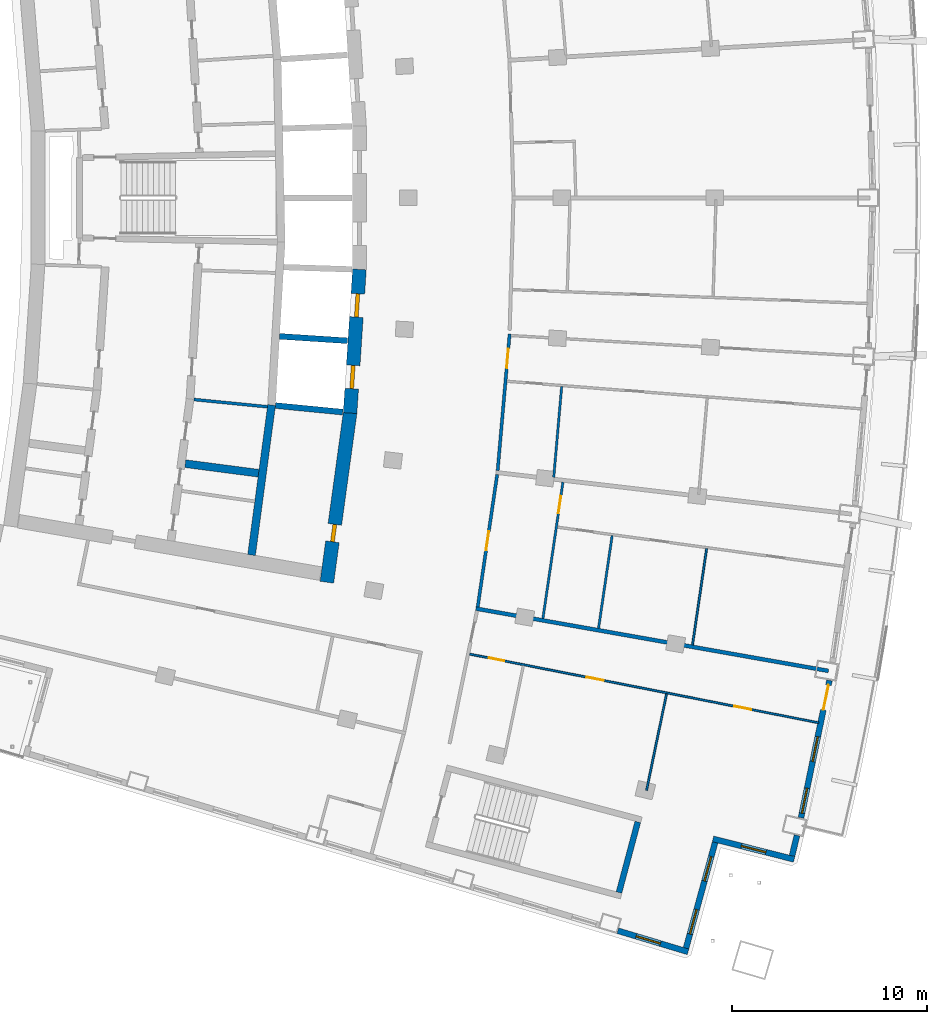
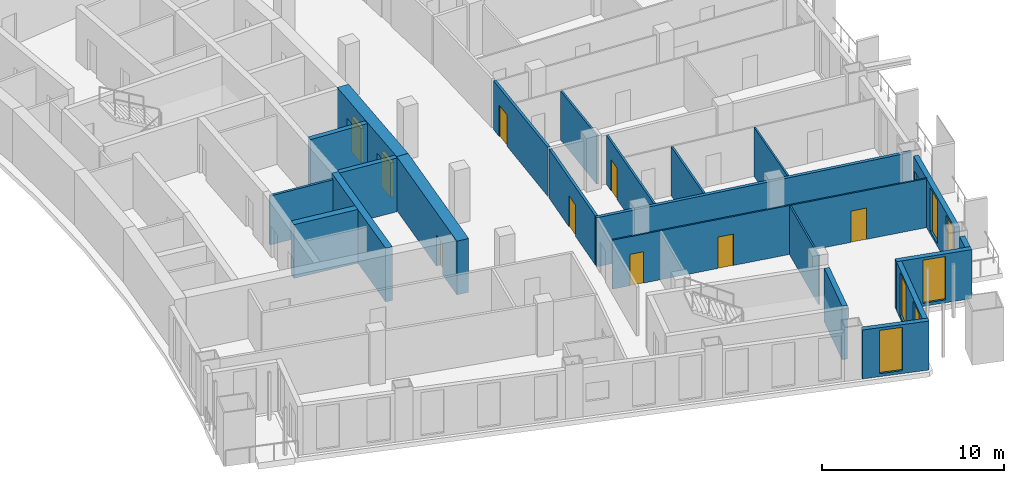
# One storey, part 11 of 20: 22 walls, 10 doors, 6 windows, 16 openings.
"""IFC4 building model written with IfcOpenShell, lengths in metres."""

from ifc_helpers import new_model, si_unit, direction, frame, frame_2d, origin, place, context, subcontext, project, spatial, rectangle, extrude, material, layer, layer_set, type_object, element, fill, save


model = new_model("IFC4")

# Units and contexts
model_context = context("Model", 3, precision=1e-05, world=origin(), true_north=direction((0.0, 1.0)))
body_context = subcontext(model_context, "Body", "Model", "MODEL_VIEW")
ifc_project = project(units=[si_unit("LENGTHUNIT", "METRE"), si_unit("AREAUNIT", "SQUARE_METRE"), si_unit("VOLUMEUNIT", "CUBIC_METRE"), si_unit("PLANEANGLEUNIT", "RADIAN"), si_unit("MASSUNIT", "GRAM", prefix="KILO")], contexts=[model_context])

# Site, building, storey
site_placement = place(None, origin())
site = spatial("IfcSite", under=ifc_project, at=site_placement, CompositionType="ELEMENT")
building_placement = place(site_placement, origin())
building = spatial("IfcBuilding", under=site, at=building_placement, Name="Alderwake Tower", CompositionType="ELEMENT")
storey_placement = place(building_placement, frame((0.0, 0.0, 164.0)))
storey = spatial("IfcBuildingStorey", under=building, at=storey_placement, Name="L40", CompositionType="ELEMENT", Elevation=164.0)

# Wall
ifc_material_1 = material(Name="Gypsum shaft wall system, rated")
ifc_layer_1 = layer(ifc_material_1, 0.14990234375)
ifc_layer_set_1 = layer_set([ifc_layer_1], Name="Core room partition 150")
wall_type_1 = type_object("IfcWallType", Name="Core room partition 150", PredefinedType="PARTITIONING", material=ifc_layer_set_1)
wall_1_placement = place(storey_placement, frame((24.789794921875, 50.64501953125, 0.0), z_axis=(0.0, 0.0, 1.0), x_axis=(0.995153039802, -0.098338331148, 0.0)))
element("IfcWall", 1, at=wall_1_placement, inside=storey, type_object=wall_type_1, Name="CW/L40/PR-103_+86", PredefinedType="PARTITIONING", context=body_context, shape_type="SweptSolid", body=[
    extrude(rectangle(XDim=3.7958984375, YDim=0.14990234375, at=frame_2d((1.89794921875, 0.0))), origin(), (0.0, 0.0, 1.0), 3.280029296875),
])

# Wall, opening, door
ifc_material_2 = material(Name="Concrete C70/85", Category="concrete")
ifc_layer_2 = layer(ifc_material_2, 0.699951171875)
ifc_layer_set_2 = layer_set([ifc_layer_2], Name="Core wall outer 700 C70-85")
wall_type_2 = type_object("IfcWallType", Name="Core wall outer 700 C70-85", PredefinedType="SHEAR", material=ifc_layer_set_2)
wall_2_placement = place(storey_placement, frame((32.81298828125, 49.97412109375, 0.0), z_axis=(0.0, 0.0, 1.0), x_axis=(-0.135835706655, -0.99073137671, 0.0)))
wall_2 = element("IfcWall", 2, at=wall_2_placement, inside=storey, type_object=wall_type_2, Name="Core wall CW.012", PredefinedType="SHEAR", context=body_context, shape_type="SweptSolid", body=[
    extrude(rectangle(XDim=8.790771484375, YDim=0.699951171875, at=frame_2d((4.3955078125, 0.0))), origin(), (0.0, 0.0, 1.0), 3.60009765625),
])
opening_1_placement = place(wall_2_placement, frame((5.79443359375, 0.0, 0.0)))
opening_1 = element("IfcOpeningElement", 3, at=opening_1_placement, cuts=wall_2, Name="Opening C060", PredefinedType="OPENING", context=body_context, shape_type="SweptSolid", body=[
    extrude(rectangle(XDim=0.89990234375, YDim=2.10009765625, at=frame_2d((0.449951171875, 1.050048828125))), frame((0.0, 0.35986328125, 0.0), z_axis=(0.0, -1.0, 0.0), x_axis=(1.0, 0.0, 0.0)), (0.0, 0.0, 1.0), 0.719970703125),
])
ifc_material_3 = material(Name="Painted steel leaf", Category="steel")
door_type_1 = type_object("IfcDoorType", Name="Core room door 900", OperationType="SINGLE_SWING_LEFT", PredefinedType="DOOR", material=ifc_material_3)
door_1_placement = place(opening_1_placement, origin())
door_1 = element("IfcDoor", 4, at=door_1_placement, inside=storey, type_object=door_type_1, Name="Room door", OperationType="SINGLE_SWING_RIGHT", OverallHeight=2.10009765625, OverallWidth=0.89990234375, PredefinedType="DOOR", context=body_context, shape_type="SweptSolid", body=[
    extrude(rectangle(XDim=0.89990234375, YDim=2.10009765625, at=frame_2d((0.449951171875, 1.050048828125))), frame((0.0, 0.10009765625, 0.0), z_axis=(0.0, -1.0, 0.0), x_axis=(1.0, 0.0, 0.0)), (0.0, 0.0, 1.0), 0.199951171875),
])
fill(opening_1, door_1)

# Wall, openings, doors
wall_3_placement = place(storey_placement, frame((32.810302734375, 49.9482421875, 0.0), z_axis=(0.0, 0.0, 1.0), x_axis=(0.065009096017, 0.99788467141, 0.0)))
wall_3 = element("IfcWall", 5, at=wall_3_placement, inside=storey, type_object=wall_type_2, Name="Core wall CW.011", PredefinedType="SHEAR", context=body_context, shape_type="SweptSolid", body=[
    extrude(rectangle(XDim=7.39453125, YDim=0.699951171875, at=frame_2d((3.697265625, 0.0))), origin(), (0.0, 0.0, 1.0), 3.60009765625),
])
opening_2_placement = place(wall_3_placement, frame((1.255126953125, 0.0, 0.0)))
opening_2 = element("IfcOpeningElement", 6, at=opening_2_placement, cuts=wall_3, Name="Opening LD-HP1", PredefinedType="OPENING", context=body_context, shape_type="SweptSolid", body=[
    extrude(rectangle(XDim=1.199951171875, YDim=2.300048828125, at=frame_2d((0.60009765625, 1.14990234375))), frame((0.0, 0.35986328125, 0.0), z_axis=(0.0, -1.0, 0.0), x_axis=(1.0, 0.0, 0.0)), (0.0, 0.0, 1.0), 0.719970703125),
])
opening_3_placement = place(wall_3_placement, frame((4.9404296875, 0.0, 0.0)))
opening_3 = element("IfcOpeningElement", 7, at=opening_3_placement, cuts=wall_3, Name="Opening LD-HP2", PredefinedType="OPENING", context=body_context, shape_type="SweptSolid", body=[
    extrude(rectangle(XDim=1.199951171875, YDim=2.300048828125, at=frame_2d((0.60009765625, 1.14990234375))), frame((0.0, 0.35986328125, 0.0), z_axis=(0.0, -1.0, 0.0), x_axis=(1.0, 0.0, 0.0)), (0.0, 0.0, 1.0), 0.719970703125),
])
ifc_material_4 = material(Name="Stainless steel sliding leaf", Category="steel")
door_type_2 = type_object("IfcDoorType", Name="Lift landing door 1200", OperationType="SLIDING_TO_LEFT", PredefinedType="DOOR", material=ifc_material_4)
door_2_placement = place(opening_2_placement, origin())
door_2 = element("IfcDoor", 8, at=door_2_placement, inside=storey, type_object=door_type_2, Name="Lift landing door HP1", OperationType="SLIDING_TO_LEFT", OverallHeight=2.300048828125, OverallWidth=1.199951171875, PredefinedType="DOOR", context=body_context, shape_type="SweptSolid", body=[
    extrude(rectangle(XDim=1.199951171875, YDim=2.300048828125, at=frame_2d((0.60009765625, 1.14990234375))), frame((0.0, 0.10009765625, 0.0), z_axis=(0.0, -1.0, 0.0), x_axis=(1.0, 0.0, 0.0)), (0.0, 0.0, 1.0), 0.199951171875),
])
fill(opening_2, door_2)
door_3_placement = place(opening_3_placement, origin())
door_3 = element("IfcDoor", 9, at=door_3_placement, inside=storey, type_object=door_type_2, Name="Lift landing door HP2", OperationType="SLIDING_TO_LEFT", OverallHeight=2.300048828125, OverallWidth=1.199951171875, PredefinedType="DOOR", context=body_context, shape_type="SweptSolid", body=[
    extrude(rectangle(XDim=1.199951171875, YDim=2.300048828125, at=frame_2d((0.60009765625, 1.14990234375))), frame((0.0, 0.10009765625, 0.0), z_axis=(0.0, -1.0, 0.0), x_axis=(1.0, 0.0, 0.0)), (0.0, 0.0, 1.0), 0.199951171875),
])
fill(opening_3, door_3)

# Walls
ifc_material_5 = material(Name="Concrete C70/85", Category="concrete")
ifc_layer_3 = layer(ifc_material_5, 0.300048828125)
ifc_layer_set_3 = layer_set([ifc_layer_3], Name="Core wall shaft 300 C70-85")
wall_type_3 = type_object("IfcWallType", Name="Core wall shaft 300 C70-85", PredefinedType="SHEAR", material=ifc_layer_set_3)
wall_4_placement = place(storey_placement, frame((28.9794921875, 50.336181640625, 0.0), z_axis=(0.0, 0.0, 1.0), x_axis=(0.995247396058, -0.097378748402, 0.0)))
element("IfcWall", 10, at=wall_4_placement, inside=storey, type_object=wall_type_3, Name="Core wall CW.064", PredefinedType="SHEAR", context=body_context, shape_type="SweptSolid", body=[
    extrude(rectangle(XDim=3.469970703125, YDim=0.300048828125, at=frame_2d((1.73486328125, 0.0))), origin(), (0.0, 0.0, 1.0), 3.60009765625),
])
wall_5_placement = place(storey_placement, frame((29.190185546875, 53.8896484375, 0.0), z_axis=(0.0, 0.0, 1.0), x_axis=(0.997884352206, -0.065013995596, 0.0)))
element("IfcWall", 11, at=wall_5_placement, inside=storey, type_object=wall_type_3, Name="Core wall CW.078", PredefinedType="SHEAR", context=body_context, shape_type="SweptSolid", body=[
    extrude(rectangle(XDim=3.488525390625, YDim=0.300048828125, at=frame_2d((1.744140625, 0.0))), origin(), (0.0, 0.0, 1.0), 3.60009765625),
])
ifc_material_6 = material(Name="Concrete C70/85", Category="concrete")
ifc_layer_4 = layer(ifc_material_6, 0.39990234375)
ifc_layer_set_4 = layer_set([ifc_layer_4], Name="Core wall spine 400 C70-85")
wall_type_4 = type_object("IfcWallType", Name="Core wall spine 400 C70-85", PredefinedType="SHEAR", material=ifc_layer_set_4)
wall_6_placement = place(storey_placement, frame((27.750244140625, 42.65966796875, 0.0), z_axis=(0.0, 0.0, 1.0), x_axis=(0.132678066825, 0.991159185289, 0.0)))
element("IfcWall", 12, at=wall_6_placement, inside=storey, type_object=wall_type_4, Name="Core wall CW.006", PredefinedType="SHEAR", context=body_context, shape_type="SweptSolid", body=[
    extrude(rectangle(XDim=7.7724609375, YDim=0.39990234375, at=frame_2d((3.88623046875, 0.0))), origin(), (0.0, 0.0, 1.0), 3.60009765625),
])
wall_7_placement = place(storey_placement, frame((24.347900390625, 47.35205078125, 0.0), z_axis=(0.0, 0.0, 1.0), x_axis=(0.991552989286, -0.12970223374, 0.0)))
element("IfcWall", 13, at=wall_7_placement, inside=storey, type_object=wall_type_4, Name="Core wall CW.069", PredefinedType="SHEAR", context=body_context, shape_type="SweptSolid", body=[
    extrude(rectangle(XDim=3.794677734375, YDim=0.39990234375, at=frame_2d((1.8974609375, 0.0))), origin(), (0.0, 0.0, 1.0), 3.60009765625),
])
ifc_material_7 = material(Name="Concrete C70/85", Category="concrete")
ifc_layer_5 = layer(ifc_material_7, 0.300048828125)
ifc_layer_set_5 = layer_set([ifc_layer_5], Name="Core wall stair enclosure 300 C70-85")
wall_type_5 = type_object("IfcWallType", Name="Core wall stair enclosure 300 C70-85", PredefinedType="SHEAR", material=ifc_layer_set_5)
wall_8_placement = place(storey_placement, frame((46.6162109375, 25.334716796875, 0.0), z_axis=(0.0, 0.0, 1.0), x_axis=(0.257366821694, 0.966313778796, 0.0)))
element("IfcWall", 14, at=wall_8_placement, inside=storey, type_object=wall_type_5, Name="Core wall CW.085", PredefinedType="SHEAR", context=body_context, shape_type="SweptSolid", body=[
    extrude(rectangle(XDim=3.749755859375, YDim=0.300048828125, at=frame_2d((1.875, 0.0))), origin(), (0.0, 0.0, 1.0), 3.60009765625),
])

# Wall, opening, door
ifc_material_8 = material(Name="Gypsum board on metal studs, rated")
ifc_layer_6 = layer(ifc_material_8, 0.159912109375)
ifc_layer_set_6 = layer_set([ifc_layer_6], Name="Corridor wall 160")
wall_type_6 = type_object("IfcWallType", Name="Corridor wall 160", PredefinedType="PARTITIONING", material=ifc_layer_set_6)
wall_9_placement = place(storey_placement, frame((40.3623046875, 46.7939453125, 0.0), z_axis=(0.0, 0.0, 1.0), x_axis=(-0.1455042199, -0.989357630987, 0.0)))
wall_9 = element("IfcWall", 15, at=wall_9_placement, inside=storey, type_object=wall_type_6, Name="WL/L40/W21", PredefinedType="PARTITIONING", context=body_context, shape_type="SweptSolid", body=[
    extrude(rectangle(XDim=6.87109375, YDim=0.159912109375, at=frame_2d((3.435546875, 0.0))), origin(), (0.0, 0.0, 1.0), 3.280029296875),
])
opening_4_placement = place(wall_9_placement, frame((2.935546875, 0.0, 0.0)))
opening_4 = element("IfcOpeningElement", 16, at=opening_4_placement, cuts=wall_9, Name="Opening R11-U04.2", PredefinedType="OPENING", context=body_context, shape_type="SweptSolid", body=[
    extrude(rectangle(XDim=1.0, YDim=2.10009765625, at=frame_2d((0.5, 1.050048828125))), frame((0.0, 0.08984375, 0.0), z_axis=(0.0, -1.0, 0.0), x_axis=(1.0, 0.0, 0.0)), (0.0, 0.0, 1.0), 0.179931640625),
])
ifc_material_9 = material(Name="Solid timber leaf in steel frame", Category="steel")
door_type_3 = type_object("IfcDoorType", Name="Flat entrance door 1000 fire-rated", OperationType="SINGLE_SWING_LEFT", PredefinedType="DOOR", material=ifc_material_9)
door_4_placement = place(opening_4_placement, origin())
door_4 = element("IfcDoor", 17, at=door_4_placement, inside=storey, type_object=door_type_3, Name="DR/L40/U04.2", OperationType="SINGLE_SWING_LEFT", OverallHeight=2.10009765625, OverallWidth=1.0, PredefinedType="DOOR", context=body_context, shape_type="SweptSolid", body=[
    extrude(rectangle(XDim=1.0, YDim=2.10009765625, at=frame_2d((0.5, 1.050048828125))), frame((0.0, 0.02490234375, 0.0), z_axis=(0.0, -1.0, 0.0), x_axis=(1.0, 0.0, 0.0)), (0.0, 0.0, 1.0), 0.050048828125),
])
fill(opening_4, door_4)

wall_10_placement = place(storey_placement, frame((41.001953125, 54.013671875, 0.0), z_axis=(0.0, 0.0, 1.0), x_axis=(-0.087430787456, -0.996170596537, 0.0)))
wall_10 = element("IfcWall", 18, at=wall_10_placement, inside=storey, type_object=wall_type_6, Name="WL/L40/W23", PredefinedType="PARTITIONING", context=body_context, shape_type="SweptSolid", body=[
    extrude(rectangle(XDim=7.048095703125, YDim=0.159912109375, at=frame_2d((3.52392578125, 0.0))), origin(), (0.0, 0.0, 1.0), 3.280029296875),
])
opening_5_placement = place(wall_10_placement, frame((0.75830078125, 0.0, 0.0)))
opening_5 = element("IfcOpeningElement", 19, at=opening_5_placement, cuts=wall_10, Name="Opening R11-U05.2", PredefinedType="OPENING", context=body_context, shape_type="SweptSolid", body=[
    extrude(rectangle(XDim=1.0, YDim=2.10009765625, at=frame_2d((0.5, 1.050048828125))), frame((0.0, 0.08984375, 0.0), z_axis=(0.0, -1.0, 0.0), x_axis=(1.0, 0.0, 0.0)), (0.0, 0.0, 1.0), 0.179931640625),
])
door_5_placement = place(opening_5_placement, origin())
door_5 = element("IfcDoor", 20, at=door_5_placement, inside=storey, type_object=door_type_3, Name="DR/L40/U05.2", OperationType="SINGLE_SWING_LEFT", OverallHeight=2.10009765625, OverallWidth=1.0, PredefinedType="DOOR", context=body_context, shape_type="SweptSolid", body=[
    extrude(rectangle(XDim=1.0, YDim=2.10009765625, at=frame_2d((0.5, 1.050048828125))), frame((0.0, 0.02490234375, 0.0), z_axis=(0.0, -1.0, 0.0), x_axis=(1.0, 0.0, 0.0)), (0.0, 0.0, 1.0), 0.050048828125),
])
fill(opening_5, door_5)

# Wall
ifc_material_10 = material(Name="Precast concrete C50/60 spandrel panel", Category="concrete")
ifc_layer_7 = layer(ifc_material_10, 0.300048828125)
ifc_layer_set_7 = layer_set([ifc_layer_7], Name="External wall EW1 Precast concrete C50/60 spandrel")
wall_type_7 = type_object("IfcWallType", Name="External wall EW1 Precast concrete C50/60 spandrel", PredefinedType="SOLIDWALL", material=ifc_layer_set_7)
wall_11_placement = place(storey_placement, frame((55.49951171875, 27.217529296875, 0.0), z_axis=(0.0, 0.0, 1.0), x_axis=(0.238334101451, 0.971183224776, 0.0)))
element("IfcWall", 21, at=wall_11_placement, inside=storey, type_object=wall_type_7, Name="External wall 11", PredefinedType="SOLIDWALL", context=body_context, shape_type="SweptSolid", body=[
    extrude(rectangle(XDim=1.080810546875, YDim=0.300048828125, at=frame_2d((0.54052734375, 0.0))), origin(), (0.0, 0.0, 1.0), 3.280029296875),
])

# Wall, openings, door, windows
wall_12_placement = place(storey_placement, frame((55.961669921875, 29.173095703125, 0.0), z_axis=(0.0, 0.0, 1.0), x_axis=(0.202737932552, 0.97923303187, 0.0)))
wall_12 = element("IfcWall", 22, at=wall_12_placement, inside=storey, type_object=wall_type_7, Name="External wall 12", PredefinedType="SOLIDWALL", context=body_context, shape_type="SweptSolid", body=[
    extrude(rectangle(XDim=7.19873046875, YDim=0.300048828125, at=frame_2d((3.599365234375, 0.0))), origin(), (0.0, 0.0, 1.0), 3.280029296875),
])
opening_6_placement = place(wall_12_placement, frame((0.2392578125, 0.0, 0.199951171875)))
opening_6 = element("IfcOpeningElement", 23, at=opening_6_placement, cuts=wall_12, Name="Opening W1", PredefinedType="OPENING", context=body_context, shape_type="SweptSolid", body=[
    extrude(rectangle(XDim=1.300048828125, YDim=2.89990234375, at=frame_2d((0.64990234375, 1.449951171875))), frame((0.0, 0.159912109375, 0.0), z_axis=(0.0, -1.0, 0.0), x_axis=(1.0, 0.0, 0.0)), (0.0, 0.0, 1.0), 0.320068359375),
])
opening_7_placement = place(wall_12_placement, frame((2.949462890625, 0.0, 0.199951171875)))
opening_7 = element("IfcOpeningElement", 24, at=opening_7_placement, cuts=wall_12, Name="Opening W1", PredefinedType="OPENING", context=body_context, shape_type="SweptSolid", body=[
    extrude(rectangle(XDim=1.300048828125, YDim=2.89990234375, at=frame_2d((0.64990234375, 1.449951171875))), frame((0.0, 0.159912109375, 0.0), z_axis=(0.0, -1.0, 0.0), x_axis=(1.0, 0.0, 0.0)), (0.0, 0.0, 1.0), 0.320068359375),
])
opening_8_placement = place(wall_12_placement, frame((5.659423828125, 0.0, 0.0)))
opening_8 = element("IfcOpeningElement", 25, at=opening_8_placement, cuts=wall_12, Name="Opening D02", PredefinedType="OPENING", context=body_context, shape_type="SweptSolid", body=[
    extrude(rectangle(XDim=1.300048828125, YDim=2.39990234375, at=frame_2d((0.64990234375, 1.199951171875))), frame((0.0, 0.159912109375, 0.0), z_axis=(0.0, -1.0, 0.0), x_axis=(1.0, 0.0, 0.0)), (0.0, 0.0, 1.0), 0.320068359375),
])
ifc_material_11 = material(Name="Bronze tinted glass in aluminium frame", Category="aluminium")
door_type_4 = type_object("IfcDoorType", Name="Balcony door BD sliding", OperationType="SLIDING_TO_LEFT", PredefinedType="DOOR", material=ifc_material_11)
door_6_placement = place(opening_8_placement, origin())
door_6 = element("IfcDoor", 26, at=door_6_placement, inside=storey, type_object=door_type_4, Name="Door D02", OperationType="SLIDING_TO_LEFT", OverallHeight=2.39990234375, OverallWidth=1.300048828125, PredefinedType="DOOR", context=body_context, shape_type="SweptSolid", body=[
    extrude(rectangle(XDim=1.300048828125, YDim=2.39990234375, at=frame_2d((0.64990234375, 1.199951171875))), frame((0.0, 0.02490234375, 0.0), z_axis=(0.0, -1.0, 0.0), x_axis=(1.0, 0.0, 0.0)), (0.0, 0.0, 1.0), 0.050048828125),
])
fill(opening_8, door_6)
ifc_material_12 = material(Name="Bronze tinted glass in aluminium frame", Category="aluminium")
window_type = type_object("IfcWindowType", Name="Window W1 tall fixed and vent", PartitioningType="DOUBLE_PANEL_VERTICAL", PredefinedType="WINDOW", material=ifc_material_12)
window_1_placement = place(opening_6_placement, origin())
window_1 = element("IfcWindow", 27, at=window_1_placement, inside=storey, type_object=window_type, Name="Window W1 tall fixed and vent", OverallHeight=2.89990234375, OverallWidth=1.300048828125, PartitioningType="DOUBLE_PANEL_VERTICAL", PredefinedType="WINDOW", context=body_context, shape_type="SweptSolid", body=[
    extrude(rectangle(XDim=1.300048828125, YDim=2.89990234375, at=frame_2d((0.64990234375, 1.449951171875))), frame((0.0, 0.030029296875, 0.0), z_axis=(0.0, -1.0, 0.0), x_axis=(1.0, 0.0, 0.0)), (0.0, 0.0, 1.0), 0.06005859375),
])
fill(opening_6, window_1)
window_2_placement = place(opening_7_placement, origin())
window_2 = element("IfcWindow", 28, at=window_2_placement, inside=storey, type_object=window_type, Name="Window W1 tall fixed and vent", OverallHeight=2.89990234375, OverallWidth=1.300048828125, PartitioningType="DOUBLE_PANEL_VERTICAL", PredefinedType="WINDOW", context=body_context, shape_type="SweptSolid", body=[
    extrude(rectangle(XDim=1.300048828125, YDim=2.89990234375, at=frame_2d((0.64990234375, 1.449951171875))), frame((0.0, 0.030029296875, 0.0), z_axis=(0.0, -1.0, 0.0), x_axis=(1.0, 0.0, 0.0)), (0.0, 0.0, 1.0), 0.06005859375),
])
fill(opening_7, window_2)

# Wall, opening, window
ifc_material_13 = material(Name="Bronze metal cladding on lightweight framing")
ifc_layer_8 = layer(ifc_material_13, 0.300048828125)
ifc_layer_set_8 = layer_set([ifc_layer_8], Name="External wall EW2 bronze metal cladding")
wall_type_8 = type_object("IfcWallType", Name="External wall EW2 bronze metal cladding", PredefinedType="SOLIDWALL", material=ifc_layer_set_8)
wall_13_placement = place(storey_placement, frame((46.55810546875, 23.369140625, 0.0), z_axis=(0.0, 0.0, 1.0), x_axis=(0.957765550003, -0.287550258611, 0.0)))
wall_13 = element("IfcWall", 29, at=wall_13_placement, inside=storey, type_object=wall_type_8, Name="External wall 8", PredefinedType="SOLIDWALL", context=body_context, shape_type="SweptSolid", body=[
    extrude(rectangle(XDim=3.762939453125, YDim=0.300048828125, at=frame_2d((1.88134765625, 0.0))), origin(), (0.0, 0.0, 1.0), 3.280029296875),
])
opening_9_placement = place(wall_13_placement, frame((0.98046875, 0.0, 0.199951171875)))
opening_9 = element("IfcOpeningElement", 30, at=opening_9_placement, cuts=wall_13, Name="Opening W1", PredefinedType="OPENING", context=body_context, shape_type="SweptSolid", body=[
    extrude(rectangle(XDim=1.300048828125, YDim=2.89990234375, at=frame_2d((0.64990234375, 1.449951171875))), frame((0.0, 0.159912109375, 0.0), z_axis=(0.0, -1.0, 0.0), x_axis=(1.0, 0.0, 0.0)), (0.0, 0.0, 1.0), 0.320068359375),
])
window_3_placement = place(opening_9_placement, origin())
window_3 = element("IfcWindow", 31, at=window_3_placement, inside=storey, type_object=window_type, Name="Window W1 tall fixed and vent", OverallHeight=2.89990234375, OverallWidth=1.300048828125, PartitioningType="DOUBLE_PANEL_VERTICAL", PredefinedType="WINDOW", context=body_context, shape_type="SweptSolid", body=[
    extrude(rectangle(XDim=1.300048828125, YDim=2.89990234375, at=frame_2d((0.64990234375, 1.449951171875))), frame((0.0, 0.030029296875, 0.0), z_axis=(0.0, -1.0, 0.0), x_axis=(1.0, 0.0, 0.0)), (0.0, 0.0, 1.0), 0.06005859375),
])
fill(opening_9, window_3)

# Wall, openings, windows
wall_14_placement = place(storey_placement, frame((50.05810546875, 22.474853515625, 0.0), z_axis=(0.0, 0.0, 1.0), x_axis=(0.2651041118, 0.96421979336, 0.0)))
wall_14 = element("IfcWall", 32, at=wall_14_placement, inside=storey, type_object=wall_type_8, Name="External wall 9", PredefinedType="SOLIDWALL", context=body_context, shape_type="SweptSolid", body=[
    extrude(rectangle(XDim=5.63427734375, YDim=0.300048828125, at=frame_2d((2.817138671875, 0.0))), origin(), (0.0, 0.0, 1.0), 3.280029296875),
])
opening_10_placement = place(wall_14_placement, frame((0.758544921875, 0.0, 0.199951171875)))
opening_10 = element("IfcOpeningElement", 33, at=opening_10_placement, cuts=wall_14, Name="Opening W1", PredefinedType="OPENING", context=body_context, shape_type="SweptSolid", body=[
    extrude(rectangle(XDim=1.300048828125, YDim=2.89990234375, at=frame_2d((0.64990234375, 1.449951171875))), frame((0.0, 0.159912109375, 0.0), z_axis=(0.0, -1.0, 0.0), x_axis=(1.0, 0.0, 0.0)), (0.0, 0.0, 1.0), 0.320068359375),
])
opening_11_placement = place(wall_14_placement, frame((3.57568359375, 0.0, 0.199951171875)))
opening_11 = element("IfcOpeningElement", 34, at=opening_11_placement, cuts=wall_14, Name="Opening W1", PredefinedType="OPENING", context=body_context, shape_type="SweptSolid", body=[
    extrude(rectangle(XDim=1.300048828125, YDim=2.89990234375, at=frame_2d((0.64990234375, 1.449951171875))), frame((0.0, 0.159912109375, 0.0), z_axis=(0.0, -1.0, 0.0), x_axis=(1.0, 0.0, 0.0)), (0.0, 0.0, 1.0), 0.320068359375),
])
window_4_placement = place(opening_10_placement, origin())
window_4 = element("IfcWindow", 35, at=window_4_placement, inside=storey, type_object=window_type, Name="Window W1 tall fixed and vent", OverallHeight=2.89990234375, OverallWidth=1.300048828125, PartitioningType="DOUBLE_PANEL_VERTICAL", PredefinedType="WINDOW", context=body_context, shape_type="SweptSolid", body=[
    extrude(rectangle(XDim=1.300048828125, YDim=2.89990234375, at=frame_2d((0.64990234375, 1.449951171875))), frame((0.0, 0.030029296875, 0.0), z_axis=(0.0, -1.0, 0.0), x_axis=(1.0, 0.0, 0.0)), (0.0, 0.0, 1.0), 0.06005859375),
])
fill(opening_10, window_4)
window_5_placement = place(opening_11_placement, origin())
window_5 = element("IfcWindow", 36, at=window_5_placement, inside=storey, type_object=window_type, Name="Window W1 tall fixed and vent", OverallHeight=2.89990234375, OverallWidth=1.300048828125, PartitioningType="DOUBLE_PANEL_VERTICAL", PredefinedType="WINDOW", context=body_context, shape_type="SweptSolid", body=[
    extrude(rectangle(XDim=1.300048828125, YDim=2.89990234375, at=frame_2d((0.64990234375, 1.449951171875))), frame((0.0, 0.030029296875, 0.0), z_axis=(0.0, -1.0, 0.0), x_axis=(1.0, 0.0, 0.0)), (0.0, 0.0, 1.0), 0.06005859375),
])
fill(opening_11, window_5)

# Wall, opening, window
wall_15_placement = place(storey_placement, frame((51.4462890625, 28.0888671875, 0.0), z_axis=(0.0, 0.0, 1.0), x_axis=(0.969425962264, -0.245383992325, 0.0)))
wall_15 = element("IfcWall", 37, at=wall_15_placement, inside=storey, type_object=wall_type_8, Name="External wall 10", PredefinedType="SOLIDWALL", context=body_context, shape_type="SweptSolid", body=[
    extrude(rectangle(XDim=4.294189453125, YDim=0.300048828125, at=frame_2d((2.14697265625, 0.0))), origin(), (0.0, 0.0, 1.0), 3.280029296875),
])
opening_12_placement = place(wall_15_placement, frame((1.4970703125, 0.0, 0.199951171875)))
opening_12 = element("IfcOpeningElement", 38, at=opening_12_placement, cuts=wall_15, Name="Opening W1", PredefinedType="OPENING", context=body_context, shape_type="SweptSolid", body=[
    extrude(rectangle(XDim=1.300048828125, YDim=2.89990234375, at=frame_2d((0.64990234375, 1.449951171875))), frame((0.0, 0.159912109375, 0.0), z_axis=(0.0, -1.0, 0.0), x_axis=(1.0, 0.0, 0.0)), (0.0, 0.0, 1.0), 0.320068359375),
])
window_6_placement = place(opening_12_placement, origin())
window_6 = element("IfcWindow", 39, at=window_6_placement, inside=storey, type_object=window_type, Name="Window W1 tall fixed and vent", OverallHeight=2.89990234375, OverallWidth=1.300048828125, PartitioningType="DOUBLE_PANEL_VERTICAL", PredefinedType="WINDOW", context=body_context, shape_type="SweptSolid", body=[
    extrude(rectangle(XDim=1.300048828125, YDim=2.89990234375, at=frame_2d((0.64990234375, 1.449951171875))), frame((0.0, 0.030029296875, 0.0), z_axis=(0.0, -1.0, 0.0), x_axis=(1.0, 0.0, 0.0)), (0.0, 0.0, 1.0), 0.06005859375),
])
fill(opening_12, window_6)

# Wall
ifc_material_14 = material(Name="Dense block masonry wall", Category="masonry")
ifc_layer_9 = layer(ifc_material_14, 0.199951171875)
ifc_layer_set_9 = layer_set([ifc_layer_9], Name="Party wall 200")
wall_type_9 = type_object("IfcWallType", Name="Party wall 200", PredefinedType="SOLIDWALL", material=ifc_layer_set_9)
wall_16_placement = place(storey_placement, frame((39.269287109375, 39.910888671875, 0.0), z_axis=(0.0, 0.0, 1.0), x_axis=(0.98472855116, -0.174096756232, 0.0)))
element("IfcWall", 40, at=wall_16_placement, inside=storey, type_object=wall_type_9, Name="WL/L40/W01", PredefinedType="SOLIDWALL", context=body_context, shape_type="SweptSolid", body=[
    extrude(rectangle(XDim=18.38037109375, YDim=0.199951171875, at=frame_2d((9.190185546875, 0.0))), origin(), (0.0, 0.0, 1.0), 3.280029296875),
])

# Wall, openings, doors
ifc_material_15 = material(Name="Gypsum board on metal studs")
ifc_layer_10 = layer(ifc_material_15, 0.10009765625)
ifc_layer_set_10 = layer_set([ifc_layer_10], Name="Unit partition 100")
wall_type_10 = type_object("IfcWallType", Name="Unit partition 100", PredefinedType="PARTITIONING", material=ifc_layer_set_10)
wall_17_placement = place(storey_placement, frame((56.867919921875, 34.047119140625, 0.0), z_axis=(0.0, 0.0, 1.0), x_axis=(-0.981169544474, 0.19314845326, 0.0)))
wall_17 = element("IfcWall", 41, at=wall_17_placement, inside=storey, type_object=wall_type_10, Name="WL/L40/W43", PredefinedType="PARTITIONING", context=body_context, shape_type="SweptSolid", body=[
    extrude(rectangle(XDim=18.262451171875, YDim=0.10009765625, at=frame_2d((9.13134765625, 0.0))), origin(), (0.0, 0.0, 1.0), 3.280029296875),
])
opening_13_placement = place(wall_17_placement, frame((11.246826171875, 0.0, 0.0)))
opening_13 = element("IfcOpeningElement", 42, at=opening_13_placement, cuts=wall_17, Name="Opening R11-U03.1", PredefinedType="OPENING", context=body_context, shape_type="SweptSolid", body=[
    extrude(rectangle(XDim=0.89990234375, YDim=2.10009765625, at=frame_2d((0.449951171875, 1.050048828125))), frame((0.0, 0.06005859375, 0.0), z_axis=(0.0, -1.0, 0.0), x_axis=(1.0, 0.0, 0.0)), (0.0, 0.0, 1.0), 0.1201171875),
])
opening_14_placement = place(wall_17_placement, frame((16.452880859375, 0.0, 0.0)))
opening_14 = element("IfcOpeningElement", 43, at=opening_14_placement, cuts=wall_17, Name="Opening R11-U03.3", PredefinedType="OPENING", context=body_context, shape_type="SweptSolid", body=[
    extrude(rectangle(XDim=0.800048828125, YDim=2.10009765625, at=frame_2d((0.39990234375, 1.050048828125))), frame((0.0, 0.06005859375, 0.0), z_axis=(0.0, -1.0, 0.0), x_axis=(1.0, 0.0, 0.0)), (0.0, 0.0, 1.0), 0.1201171875),
])
opening_15_placement = place(wall_17_placement, frame((3.52490234375, 0.0, 0.0)))
opening_15 = element("IfcOpeningElement", 44, at=opening_15_placement, cuts=wall_17, Name="Opening R11-U03.4", PredefinedType="OPENING", context=body_context, shape_type="SweptSolid", body=[
    extrude(rectangle(XDim=0.89990234375, YDim=2.10009765625, at=frame_2d((0.449951171875, 1.050048828125))), frame((0.0, 0.06005859375, 0.0), z_axis=(0.0, -1.0, 0.0), x_axis=(1.0, 0.0, 0.0)), (0.0, 0.0, 1.0), 0.1201171875),
])
ifc_material_16 = material(Name="Painted timber leaf", Category="wood")
door_type_5 = type_object("IfcDoorType", Name="Bathroom door 800", OperationType="SINGLE_SWING_LEFT", PredefinedType="DOOR", material=ifc_material_16)
door_7_placement = place(opening_14_placement, origin())
door_7 = element("IfcDoor", 45, at=door_7_placement, inside=storey, type_object=door_type_5, Name="DR/L40/U03.3", OperationType="SINGLE_SWING_LEFT", OverallHeight=2.10009765625, OverallWidth=0.800048828125, PredefinedType="DOOR", context=body_context, shape_type="SweptSolid", body=[
    extrude(rectangle(XDim=0.800048828125, YDim=2.10009765625, at=frame_2d((0.39990234375, 1.050048828125))), frame((0.0, 0.02490234375, 0.0), z_axis=(0.0, -1.0, 0.0), x_axis=(1.0, 0.0, 0.0)), (0.0, 0.0, 1.0), 0.050048828125),
])
fill(opening_14, door_7)
ifc_material_17 = material(Name="Painted timber leaf", Category="wood")
door_type_6 = type_object("IfcDoorType", Name="Room door 900", OperationType="SINGLE_SWING_LEFT", PredefinedType="DOOR", material=ifc_material_17)
door_8_placement = place(opening_13_placement, origin())
door_8 = element("IfcDoor", 46, at=door_8_placement, inside=storey, type_object=door_type_6, Name="DR/L40/U03.1", OperationType="SINGLE_SWING_LEFT", OverallHeight=2.10009765625, OverallWidth=0.89990234375, PredefinedType="DOOR", context=body_context, shape_type="SweptSolid", body=[
    extrude(rectangle(XDim=0.89990234375, YDim=2.10009765625, at=frame_2d((0.449951171875, 1.050048828125))), frame((0.0, 0.02490234375, 0.0), z_axis=(0.0, -1.0, 0.0), x_axis=(1.0, 0.0, 0.0)), (0.0, 0.0, 1.0), 0.050048828125),
])
fill(opening_13, door_8)
door_9_placement = place(opening_15_placement, origin())
door_9 = element("IfcDoor", 47, at=door_9_placement, inside=storey, type_object=door_type_6, Name="DR/L40/U03.4", OperationType="SINGLE_SWING_LEFT", OverallHeight=2.10009765625, OverallWidth=0.89990234375, PredefinedType="DOOR", context=body_context, shape_type="SweptSolid", body=[
    extrude(rectangle(XDim=0.89990234375, YDim=2.10009765625, at=frame_2d((0.449951171875, 1.050048828125))), frame((0.0, 0.02490234375, 0.0), z_axis=(0.0, -1.0, 0.0), x_axis=(1.0, 0.0, 0.0)), (0.0, 0.0, 1.0), 0.050048828125),
])
fill(opening_15, door_9)

# Walls
wall_18_placement = place(storey_placement, frame((48.030029296875, 30.572998046875, 0.0), z_axis=(0.0, 0.0, 1.0), x_axis=(0.202876488764, 0.979204335319, 0.0)))
element("IfcWall", 48, at=wall_18_placement, inside=storey, type_object=wall_type_10, Name="WL/L40/W49", PredefinedType="PARTITIONING", context=body_context, shape_type="SweptSolid", body=[
    extrude(rectangle(XDim=5.06640625, YDim=0.10009765625, at=frame_2d((2.533203125, 0.0))), origin(), (0.0, 0.0, 1.0), 3.280029296875),
])
wall_19_placement = place(storey_placement, frame((50.390380859375, 38.0458984375, 0.0), z_axis=(0.0, 0.0, 1.0), x_axis=(0.145112912373, 0.989415101291, 0.0)))
element("IfcWall", 49, at=wall_19_placement, inside=storey, type_object=wall_type_10, Name="WL/L40/W50", PredefinedType="PARTITIONING", context=body_context, shape_type="SweptSolid", body=[
    extrude(rectangle(XDim=4.99853515625, YDim=0.10009765625, at=frame_2d((2.499267578125, 0.0))), origin(), (0.0, 0.0, 1.0), 3.280029296875),
])

# Wall, opening, door
ifc_material_18 = material(Name="Moisture resistant gypsum board on metal studs")
ifc_layer_11 = layer(ifc_material_18, 0.1201171875)
ifc_layer_set_11 = layer_set([ifc_layer_11], Name="Wet room partition 120")
wall_type_11 = type_object("IfcWallType", Name="Wet room partition 120", PredefinedType="PARTITIONING", material=ifc_layer_set_11)
wall_20_placement = place(storey_placement, frame((43.737548828125, 46.39794921875, 0.0), z_axis=(0.0, 0.0, 1.0), x_axis=(-0.145317973425, -0.989385004232, 0.0)))
wall_20 = element("IfcWall", 50, at=wall_20_placement, inside=storey, type_object=wall_type_11, Name="WL/L40/W34", PredefinedType="PARTITIONING", context=body_context, shape_type="SweptSolid", body=[
    extrude(rectangle(XDim=7.06787109375, YDim=0.1201171875, at=frame_2d((3.533935546875, 0.0))), origin(), (0.0, 0.0, 1.0), 3.280029296875),
])
opening_16_placement = place(wall_20_placement, frame((0.71142578125, 0.0, 0.0)))
opening_16 = element("IfcOpeningElement", 51, at=opening_16_placement, cuts=wall_20, Name="Opening R11-U04.3", PredefinedType="OPENING", context=body_context, shape_type="SweptSolid", body=[
    extrude(rectangle(XDim=0.89990234375, YDim=2.10009765625, at=frame_2d((0.449951171875, 1.050048828125))), frame((0.0, 0.070068359375, 0.0), z_axis=(0.0, -1.0, 0.0), x_axis=(1.0, 0.0, 0.0)), (0.0, 0.0, 1.0), 0.14013671875),
])
door_10_placement = place(opening_16_placement, origin())
door_10 = element("IfcDoor", 52, at=door_10_placement, inside=storey, type_object=door_type_6, Name="DR/L40/U04.3", OperationType="SINGLE_SWING_LEFT", OverallHeight=2.10009765625, OverallWidth=0.89990234375, PredefinedType="DOOR", context=body_context, shape_type="SweptSolid", body=[
    extrude(rectangle(XDim=0.89990234375, YDim=2.10009765625, at=frame_2d((0.449951171875, 1.050048828125))), frame((0.0, 0.02490234375, 0.0), z_axis=(0.0, -1.0, 0.0), x_axis=(1.0, 0.0, 0.0)), (0.0, 0.0, 1.0), 0.050048828125),
])
fill(opening_16, door_10)

# Walls
wall_21_placement = place(storey_placement, frame((43.265625, 46.65380859375, 0.0), z_axis=(0.0, 0.0, 1.0), x_axis=(0.087069112872, 0.996202273428, 0.0)))
element("IfcWall", 53, at=wall_21_placement, inside=storey, type_object=wall_type_11, Name="WL/L40/W36", PredefinedType="PARTITIONING", context=body_context, shape_type="SweptSolid", body=[
    extrude(rectangle(XDim=4.67431640625, YDim=0.1201171875, at=frame_2d((2.337158203125, 0.0))), origin(), (0.0, 0.0, 1.0), 3.280029296875),
])
wall_22_placement = place(storey_placement, frame((45.56640625, 38.90087890625, 0.0), z_axis=(0.0, 0.0, 1.0), x_axis=(0.145238137818, 0.989396726962, 0.0)))
element("IfcWall", 54, at=wall_22_placement, inside=storey, type_object=wall_type_11, Name="WL/L40/W41", PredefinedType="PARTITIONING", context=body_context, shape_type="SweptSolid", body=[
    extrude(rectangle(XDim=4.8076171875, YDim=0.1201171875, at=frame_2d((2.40380859375, 0.0))), origin(), (0.0, 0.0, 1.0), 3.280029296875),
])

save(model, "model.ifc")
